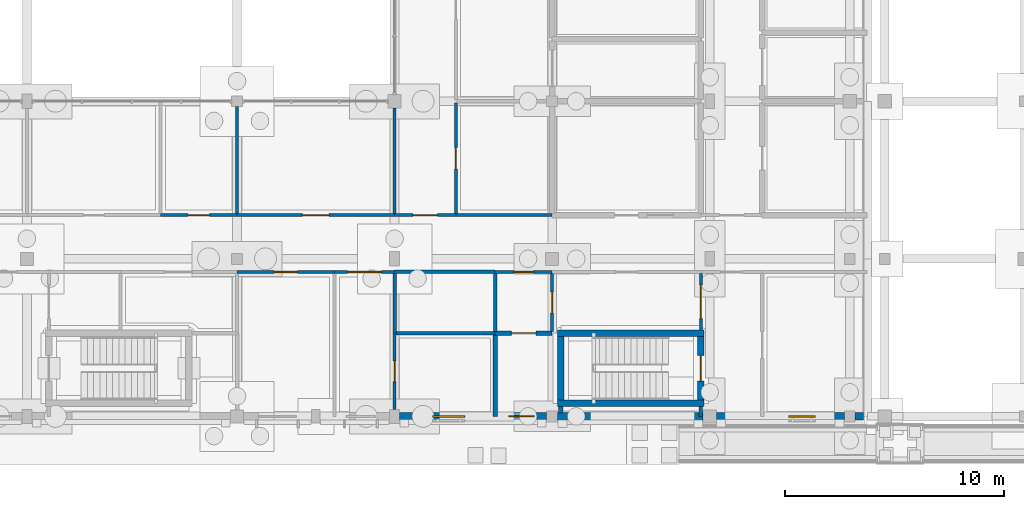
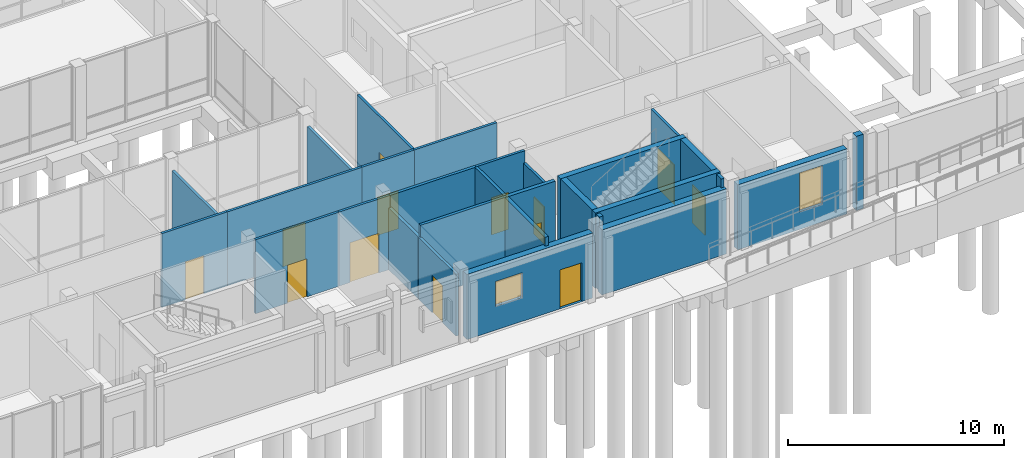
# One storey, part 79 of 104: 29 walls, 13 doors, 2 windows, 15 openings.
"""IFC4 building model written with IfcOpenShell, lengths in metres."""

from ifc_helpers import new_model, si_unit, direction, frame, frame_2d, origin, place, context, subcontext, project, spatial, rectangle, extrude, material, layer, layer_set, type_object, element, fill, save


model = new_model("IFC4")

# Units and contexts
model_context = context("Model", 3, precision=1e-05, world=origin(), true_north=direction((0.0, 1.0)))
body_context = subcontext(model_context, "Body", "Model", "MODEL_VIEW")
ifc_project = project(units=[si_unit("LENGTHUNIT", "METRE"), si_unit("AREAUNIT", "SQUARE_METRE"), si_unit("VOLUMEUNIT", "CUBIC_METRE"), si_unit("PLANEANGLEUNIT", "RADIAN"), si_unit("MASSUNIT", "GRAM", prefix="KILO")], contexts=[model_context])

# Site, building, storey
site_placement = place(None, origin())
site = spatial("IfcSite", under=ifc_project, at=site_placement, CompositionType="ELEMENT")
building_placement = place(site_placement, origin())
building = spatial("IfcBuilding", under=site, at=building_placement, Name="Hawrajan Terrace Health Centre", CompositionType="ELEMENT")
storey_placement = place(building_placement, origin())
storey = spatial("IfcBuildingStorey", under=building, at=storey_placement, Name="L00", CompositionType="ELEMENT", Elevation=0.0)

# Wall, opening, door
ifc_material_1 = material(Name="Gypsum board on acoustic stud framing")
ifc_layer_1 = layer(ifc_material_1, 0.139892578125)
ifc_layer_set_1 = layer_set([ifc_layer_1], Name="Gypsum board on acoustic stud framing")
wall_type_1 = type_object("IfcWallType", Name="ClinicalAcousticWall_140", PredefinedType="PARTITIONING", material=ifc_layer_set_1)
wall_1_placement = place(storey_placement, frame((97.10595703125, 13.39990234375, 0.0), z_axis=(0.0, 0.0, 1.0), x_axis=(1.0, 0.0, 0.0)))
wall_1 = element("IfcWall", 1, at=wall_1_placement, inside=storey, type_object=wall_type_1, Name="Interior wall IW-L00-0383", PredefinedType="PARTITIONING", context=body_context, shape_type="SweptSolid", body=[
    extrude(rectangle(XDim=3.494140625, YDim=0.139892578125, at=frame_2d((1.7470703125, 0.0))), origin(), (0.0, 0.0, 1.0), 4.179931640625),
])
opening_1_placement = place(wall_1_placement, frame((1.257080078125, 0.0, 0.0)))
opening_1 = element("IfcOpeningElement", 2, at=opening_1_placement, cuts=wall_1, Name="Opening D-L00-199", PredefinedType="OPENING", context=body_context, shape_type="SweptSolid", body=[
    extrude(rectangle(XDim=0.97998046875, YDim=2.14990234375, at=frame_2d((0.489990234375, 1.074951171875))), frame((0.0, 0.079833984375, 0.0), z_axis=(0.0, -1.0, 0.0), x_axis=(1.0, 0.0, 0.0)), (0.0, 0.0, 1.0), 0.159912109375),
])
ifc_material_2 = material(Name="Hardwood acoustic clinical door leaf and frame", Category="wood")
door_type_1 = type_object("IfcDoorType", Name="ConsultDoor_980x2150", OperationType="NOTDEFINED", PredefinedType="DOOR", material=ifc_material_2)
door_1_placement = place(opening_1_placement, origin())
door_1 = element("IfcDoor", 3, at=door_1_placement, inside=storey, type_object=door_type_1, Name="Interior door D-L00-199", OperationType="SINGLE_SWING_LEFT", OverallHeight=2.14990234375, OverallWidth=0.97998046875, PredefinedType="DOOR", context=body_context, shape_type="SweptSolid", body=[
    extrude(rectangle(XDim=0.97998046875, YDim=2.14990234375, at=frame_2d((0.489990234375, 1.074951171875))), frame((0.0, 0.02490234375, 0.0), z_axis=(0.0, -1.0, 0.0), x_axis=(1.0, 0.0, 0.0)), (0.0, 0.0, 1.0), 0.050048828125),
])
fill(opening_1, door_1)

wall_2_placement = place(storey_placement, frame((100.60009765625, 10.800048828125, 0.0), z_axis=(0.0, 0.0, 1.0), x_axis=(1.0, 0.0, 0.0)))
wall_2 = element("IfcWall", 4, at=wall_2_placement, inside=storey, type_object=wall_type_1, Name="Interior wall IW-L00-0385", PredefinedType="PARTITIONING", context=body_context, shape_type="SweptSolid", body=[
    extrude(rectangle(XDim=4.456787109375, YDim=0.139892578125, at=frame_2d((2.228515625, 0.0))), origin(), (0.0, 0.0, 1.0), 4.179931640625),
])
opening_2_placement = place(wall_2_placement, frame((1.698486328125, 0.0, 0.0)))
opening_2 = element("IfcOpeningElement", 5, at=opening_2_placement, cuts=wall_2, Name="Opening D-L00-200", PredefinedType="OPENING", context=body_context, shape_type="SweptSolid", body=[
    extrude(rectangle(XDim=1.06005859375, YDim=2.14990234375, at=frame_2d((0.530029296875, 1.074951171875))), frame((0.0, 0.079833984375, 0.0), z_axis=(0.0, -1.0, 0.0), x_axis=(1.0, 0.0, 0.0)), (0.0, 0.0, 1.0), 0.159912109375),
])
door_type_2 = type_object("IfcDoorType", Name="MentalHealthDoor_1060x2150", OperationType="NOTDEFINED", PredefinedType="DOOR", material=ifc_material_2)
door_2_placement = place(opening_2_placement, origin())
door_2 = element("IfcDoor", 6, at=door_2_placement, inside=storey, type_object=door_type_2, Name="Interior door D-L00-200", OperationType="SINGLE_SWING_RIGHT", OverallHeight=2.14990234375, OverallWidth=1.06005859375, PredefinedType="DOOR", context=body_context, shape_type="SweptSolid", body=[
    extrude(rectangle(XDim=1.06005859375, YDim=2.14990234375, at=frame_2d((0.530029296875, 1.074951171875))), frame((0.0, 0.02490234375, 0.0), z_axis=(0.0, -1.0, 0.0), x_axis=(1.0, 0.0, 0.0)), (0.0, 0.0, 1.0), 0.050048828125),
])
fill(opening_2, door_2)

# Wall
wall_3_placement = place(storey_placement, frame((100.60009765625, 13.469970703125, 0.0), z_axis=(0.0, 0.0, 1.0), x_axis=(0.0, 1.0, 0.0)))
element("IfcWall", 7, at=wall_3_placement, inside=storey, type_object=wall_type_1, Name="Interior wall IW-L00-0386", PredefinedType="PARTITIONING", context=body_context, shape_type="SweptSolid", body=[
    extrude(rectangle(XDim=4.880126953125, YDim=0.139892578125, at=frame_2d((2.43994140625, 0.0))), origin(), (0.0, 0.0, 1.0), 3.5),
])

# Wall, opening, door
wall_4_placement = place(storey_placement, frame((100.60009765625, 13.39990234375, 0.0), z_axis=(0.0, 0.0, 1.0), x_axis=(1.0, 0.0, 0.0)))
wall_4 = element("IfcWall", 8, at=wall_4_placement, inside=storey, type_object=wall_type_1, Name="Interior wall IW-L00-0387", PredefinedType="PARTITIONING", context=body_context, shape_type="SweptSolid", body=[
    extrude(rectangle(XDim=7.199951171875, YDim=0.139892578125, at=frame_2d((3.60009765625, 0.0))), origin(), (0.0, 0.0, 1.0), 4.179931640625),
])
opening_3_placement = place(wall_4_placement, frame((2.989990234375, 0.0, 0.0)))
opening_3 = element("IfcOpeningElement", 9, at=opening_3_placement, cuts=wall_4, Name="Opening D-L00-202", PredefinedType="OPENING", context=body_context, shape_type="SweptSolid", body=[
    extrude(rectangle(XDim=1.219970703125, YDim=2.10009765625, at=frame_2d((0.60986328125, 1.050048828125))), frame((0.0, 0.079833984375, 0.0), z_axis=(0.0, -1.0, 0.0), x_axis=(1.0, 0.0, 0.0)), (0.0, 0.0, 1.0), 0.159912109375),
])
door_type_3 = type_object("IfcDoorType", Name="ConsultDoor_1220x2100", OperationType="NOTDEFINED", PredefinedType="DOOR", material=ifc_material_2)
door_3_placement = place(opening_3_placement, origin())
door_3 = element("IfcDoor", 10, at=door_3_placement, inside=storey, type_object=door_type_3, Name="Interior door D-L00-202", OperationType="SINGLE_SWING_RIGHT", OverallHeight=2.10009765625, OverallWidth=1.219970703125, PredefinedType="DOOR", context=body_context, shape_type="SweptSolid", body=[
    extrude(rectangle(XDim=1.219970703125, YDim=2.10009765625, at=frame_2d((0.60986328125, 1.050048828125))), frame((0.0, 0.02490234375, 0.0), z_axis=(0.0, -1.0, 0.0), x_axis=(1.0, 0.0, 0.0)), (0.0, 0.0, 1.0), 0.050048828125),
])
fill(opening_3, door_3)

wall_5_placement = place(storey_placement, frame((105.056884765625, 10.800048828125, 0.0), z_axis=(0.0, 0.0, 1.0), x_axis=(1.0, 0.0, 0.0)))
wall_5 = element("IfcWall", 11, at=wall_5_placement, inside=storey, type_object=wall_type_1, Name="Interior wall IW-L00-0389", PredefinedType="PARTITIONING", context=body_context, shape_type="SweptSolid", body=[
    extrude(rectangle(XDim=2.7431640625, YDim=0.139892578125, at=frame_2d((1.37158203125, 0.0))), origin(), (0.0, 0.0, 1.0), 4.179931640625),
])
opening_4_placement = place(wall_5_placement, frame((0.6015625, 0.0, 0.0)))
opening_4 = element("IfcOpeningElement", 12, at=opening_4_placement, cuts=wall_5, Name="Opening D-L00-201", PredefinedType="OPENING", context=body_context, shape_type="SweptSolid", body=[
    extrude(rectangle(XDim=1.5400390625, YDim=2.25, at=frame_2d((0.77001953125, 1.125))), frame((0.0, 0.079833984375, 0.0), z_axis=(0.0, -1.0, 0.0), x_axis=(1.0, 0.0, 0.0)), (0.0, 0.0, 1.0), 0.159912109375),
])
door_type_4 = type_object("IfcDoorType", Name="RecoveryBayDoor_1540x2250", OperationType="DOUBLE_DOOR_SINGLE_SWING", PredefinedType="DOOR", material=ifc_material_2)
door_4_placement = place(opening_4_placement, origin())
door_4 = element("IfcDoor", 13, at=door_4_placement, inside=storey, type_object=door_type_4, Name="Interior door D-L00-201", OperationType="DOUBLE_DOOR_SINGLE_SWING", OverallHeight=2.25, OverallWidth=1.5400390625, PredefinedType="DOOR", context=body_context, shape_type="SweptSolid", body=[
    extrude(rectangle(XDim=1.5400390625, YDim=2.25, at=frame_2d((0.77001953125, 1.125))), frame((0.0, 0.02490234375, 0.0), z_axis=(0.0, -1.0, 0.0), x_axis=(1.0, 0.0, 0.0)), (0.0, 0.0, 1.0), 0.050048828125),
])
fill(opening_4, door_4)

wall_6_placement = place(storey_placement, frame((107.800048828125, 4.52490234375, 0.0), z_axis=(0.0, 0.0, 1.0), x_axis=(0.0, 1.0, 0.0)))
wall_6 = element("IfcWall", 14, at=wall_6_placement, inside=storey, type_object=wall_type_1, Name="Interior wall IW-L00-0390", PredefinedType="PARTITIONING", context=body_context, shape_type="SweptSolid", body=[
    extrude(rectangle(XDim=3.47509765625, YDim=0.139892578125, at=frame_2d((1.737548828125, 0.0))), origin(), (0.0, 0.0, 1.0), 3.5),
])
opening_5_placement = place(wall_6_placement, frame((1.262451171875, 0.0, 0.0)))
opening_5 = element("IfcOpeningElement", 15, at=opening_5_placement, cuts=wall_6, Name="Opening D-L00-203", PredefinedType="OPENING", context=body_context, shape_type="SweptSolid", body=[
    extrude(rectangle(XDim=0.949951171875, YDim=2.10009765625, at=frame_2d((0.47509765625, 1.050048828125))), frame((0.0, 0.079833984375, 0.0), z_axis=(0.0, -1.0, 0.0), x_axis=(1.0, 0.0, 0.0)), (0.0, 0.0, 1.0), 0.159912109375),
])
door_type_5 = type_object("IfcDoorType", Name="AccessibleWCDoor_950x2100", OperationType="NOTDEFINED", PredefinedType="DOOR", material=ifc_material_2)
door_5_placement = place(opening_5_placement, origin())
door_5 = element("IfcDoor", 16, at=door_5_placement, inside=storey, type_object=door_type_5, Name="Interior door D-L00-203", OperationType="SINGLE_SWING_LEFT", OverallHeight=2.10009765625, OverallWidth=0.949951171875, PredefinedType="DOOR", context=body_context, shape_type="SweptSolid", body=[
    extrude(rectangle(XDim=0.949951171875, YDim=2.10009765625, at=frame_2d((0.47509765625, 1.050048828125))), frame((0.0, 0.02490234375, 0.0), z_axis=(0.0, -1.0, 0.0), x_axis=(1.0, 0.0, 0.0)), (0.0, 0.0, 1.0), 0.050048828125),
])
fill(opening_5, door_5)

# Wall
wall_7_placement = place(storey_placement, frame((107.800048828125, 13.469970703125, 0.0), z_axis=(0.0, 0.0, 1.0), x_axis=(0.0, 1.0, 0.0)))
element("IfcWall", 17, at=wall_7_placement, inside=storey, type_object=wall_type_1, Name="Interior wall IW-L00-0391", PredefinedType="PARTITIONING", context=body_context, shape_type="SweptSolid", body=[
    extrude(rectangle(XDim=4.830078125, YDim=0.139892578125, at=frame_2d((2.4150390625, 0.0))), origin(), (0.0, 0.0, 1.0), 3.5),
])

# Wall, opening, door
wall_8_placement = place(storey_placement, frame((107.800048828125, 13.39990234375, 0.0), z_axis=(0.0, 0.0, 1.0), x_axis=(1.0, 0.0, 0.0)))
wall_8 = element("IfcWall", 18, at=wall_8_placement, inside=storey, type_object=wall_type_1, Name="Interior wall IW-L00-0392", PredefinedType="PARTITIONING", context=body_context, shape_type="SweptSolid", body=[
    extrude(rectangle(XDim=2.800048828125, YDim=0.139892578125, at=frame_2d((1.39990234375, 0.0))), origin(), (0.0, 0.0, 1.0), 4.179931640625),
])
opening_6_placement = place(wall_8_placement, frame((0.840087890625, 0.0, 0.0)))
opening_6 = element("IfcOpeningElement", 19, at=opening_6_placement, cuts=wall_8, Name="Opening D-L00-122", PredefinedType="OPENING", context=body_context, shape_type="SweptSolid", body=[
    extrude(rectangle(XDim=1.1201171875, YDim=2.14990234375, at=frame_2d((0.56005859375, 1.074951171875))), frame((0.0, 0.079833984375, 0.0), z_axis=(0.0, -1.0, 0.0), x_axis=(1.0, 0.0, 0.0)), (0.0, 0.0, 1.0), 0.159912109375),
])
door_type_6 = type_object("IfcDoorType", Name="DentalSurgeryDoor_1120x2150", OperationType="NOTDEFINED", PredefinedType="DOOR", material=ifc_material_2)
door_6_placement = place(opening_6_placement, origin())
door_6 = element("IfcDoor", 20, at=door_6_placement, inside=storey, type_object=door_type_6, Name="Interior door D-L00-122", OperationType="SINGLE_SWING_RIGHT", OverallHeight=2.14990234375, OverallWidth=1.1201171875, PredefinedType="DOOR", context=body_context, shape_type="SweptSolid", body=[
    extrude(rectangle(XDim=1.1201171875, YDim=2.14990234375, at=frame_2d((0.56005859375, 1.074951171875))), frame((0.0, 0.02490234375, 0.0), z_axis=(0.0, -1.0, 0.0), x_axis=(1.0, 0.0, 0.0)), (0.0, 0.0, 1.0), 0.050048828125),
])
fill(opening_6, door_6)

wall_9_placement = place(storey_placement, frame((110.60009765625, 13.469970703125, 0.0), z_axis=(0.0, 0.0, 1.0), x_axis=(0.0, 1.0, 0.0)))
wall_9 = element("IfcWall", 21, at=wall_9_placement, inside=storey, type_object=wall_type_1, Name="Interior wall IW-L00-0394", PredefinedType="PARTITIONING", context=body_context, shape_type="SweptSolid", body=[
    extrude(rectangle(XDim=5.06005859375, YDim=0.139892578125, at=frame_2d((2.530029296875, 0.0))), origin(), (0.0, 0.0, 1.0), 4.179931640625),
])
opening_7_placement = place(wall_9_placement, frame((2.0400390625, 0.0, 0.0)))
opening_7 = element("IfcOpeningElement", 22, at=opening_7_placement, cuts=wall_9, Name="Opening D-L00-204", PredefinedType="OPENING", context=body_context, shape_type="SweptSolid", body=[
    extrude(rectangle(XDim=0.97998046875, YDim=2.14990234375, at=frame_2d((0.489990234375, 1.074951171875))), frame((0.0, 0.079833984375, 0.0), z_axis=(0.0, -1.0, 0.0), x_axis=(1.0, 0.0, 0.0)), (0.0, 0.0, 1.0), 0.159912109375),
])
door_7_placement = place(opening_7_placement, origin())
door_7 = element("IfcDoor", 23, at=door_7_placement, inside=storey, type_object=door_type_1, Name="Interior door D-L00-204", OperationType="SINGLE_SWING_RIGHT", OverallHeight=2.14990234375, OverallWidth=0.97998046875, PredefinedType="DOOR", context=body_context, shape_type="SweptSolid", body=[
    extrude(rectangle(XDim=0.97998046875, YDim=2.14990234375, at=frame_2d((0.489990234375, 1.074951171875))), frame((0.0, 0.02490234375, 0.0), z_axis=(0.0, -1.0, 0.0), x_axis=(1.0, 0.0, 0.0)), (0.0, 0.0, 1.0), 0.050048828125),
])
fill(opening_7, door_7)

# Wall
wall_10_placement = place(storey_placement, frame((110.60009765625, 13.39990234375, 0.0), z_axis=(0.0, 0.0, 1.0), x_axis=(1.0, 0.0, 0.0)))
element("IfcWall", 24, at=wall_10_placement, inside=storey, type_object=wall_type_1, Name="Interior wall IW-L00-0395", PredefinedType="PARTITIONING", context=body_context, shape_type="SweptSolid", body=[
    extrude(rectangle(XDim=4.39990234375, YDim=0.139892578125, at=frame_2d((2.199951171875, 0.0))), origin(), (0.0, 0.0, 1.0), 4.179931640625),
])

# Wall, opening, door
wall_11_placement = place(storey_placement, frame((112.39990234375, 10.800048828125, 0.0), z_axis=(0.0, 0.0, 1.0), x_axis=(1.0, 0.0, 0.0)))
wall_11 = element("IfcWall", 25, at=wall_11_placement, inside=storey, type_object=wall_type_1, Name="Interior wall IW-L00-0404", PredefinedType="PARTITIONING", context=body_context, shape_type="SweptSolid", body=[
    extrude(rectangle(XDim=2.60009765625, YDim=0.139892578125, at=frame_2d((1.300048828125, 0.0))), origin(), (0.0, 0.0, 1.0), 4.179931640625),
])
opening_8_placement = place(wall_11_placement, frame((0.85009765625, 0.0, 0.0)))
opening_8 = element("IfcOpeningElement", 26, at=opening_8_placement, cuts=wall_11, Name="Opening D-L00-120", PredefinedType="OPENING", context=body_context, shape_type="SweptSolid", body=[
    extrude(rectangle(XDim=0.89990234375, YDim=2.10009765625, at=frame_2d((0.449951171875, 1.050048828125))), frame((0.0, 0.079833984375, 0.0), z_axis=(0.0, -1.0, 0.0), x_axis=(1.0, 0.0, 0.0)), (0.0, 0.0, 1.0), 0.159912109375),
])
door_type_7 = type_object("IfcDoorType", Name="PatientWCDoor_900x2100", OperationType="NOTDEFINED", PredefinedType="DOOR", material=ifc_material_2)
door_8_placement = place(opening_8_placement, origin())
door_8 = element("IfcDoor", 27, at=door_8_placement, inside=storey, type_object=door_type_7, Name="Interior door D-L00-120", OperationType="SINGLE_SWING_RIGHT", OverallHeight=2.10009765625, OverallWidth=0.89990234375, PredefinedType="DOOR", context=body_context, shape_type="SweptSolid", body=[
    extrude(rectangle(XDim=0.89990234375, YDim=2.10009765625, at=frame_2d((0.449951171875, 1.050048828125))), frame((0.0, 0.02490234375, 0.0), z_axis=(0.0, -1.0, 0.0), x_axis=(1.0, 0.0, 0.0)), (0.0, 0.0, 1.0), 0.050048828125),
])
fill(opening_8, door_8)

wall_12_placement = place(storey_placement, frame((115.0, 8.070068359375, 0.0), z_axis=(0.0, 0.0, 1.0), x_axis=(0.0, 1.0, 0.0)))
wall_12 = element("IfcWall", 28, at=wall_12_placement, inside=storey, type_object=wall_type_1, Name="Interior wall IW-L00-0405", PredefinedType="PARTITIONING", context=body_context, shape_type="SweptSolid", body=[
    extrude(rectangle(XDim=2.659912109375, YDim=0.139892578125, at=frame_2d((1.330078125, 0.0))), origin(), (0.0, 0.0, 1.0), 3.5),
])
opening_9_placement = place(wall_12_placement, frame((0.85498046875, 0.0, 0.0)))
opening_9 = element("IfcOpeningElement", 29, at=opening_9_placement, cuts=wall_12, Name="Opening D-L00-125", PredefinedType="OPENING", context=body_context, shape_type="SweptSolid", body=[
    extrude(rectangle(XDim=0.949951171875, YDim=2.10009765625, at=frame_2d((0.47509765625, 1.050048828125))), frame((0.0, 0.079833984375, 0.0), z_axis=(0.0, -1.0, 0.0), x_axis=(1.0, 0.0, 0.0)), (0.0, 0.0, 1.0), 0.159912109375),
])
door_9_placement = place(opening_9_placement, origin())
door_9 = element("IfcDoor", 30, at=door_9_placement, inside=storey, type_object=door_type_5, Name="Interior door D-L00-125", OperationType="SINGLE_SWING_LEFT", OverallHeight=2.10009765625, OverallWidth=0.949951171875, PredefinedType="DOOR", context=body_context, shape_type="SweptSolid", body=[
    extrude(rectangle(XDim=0.949951171875, YDim=2.10009765625, at=frame_2d((0.47509765625, 1.050048828125))), frame((0.0, 0.02490234375, 0.0), z_axis=(0.0, -1.0, 0.0), x_axis=(1.0, 0.0, 0.0)), (0.0, 0.0, 1.0), 0.050048828125),
])
fill(opening_9, door_9)

wall_13_placement = place(storey_placement, frame((121.800048828125, 8.139892578125, 0.0), z_axis=(0.0, 0.0, 1.0), x_axis=(0.0, 1.0, 0.0)))
wall_13 = element("IfcWall", 31, at=wall_13_placement, inside=storey, type_object=wall_type_1, Name="Interior wall IW-L00-0423", PredefinedType="PARTITIONING", context=body_context, shape_type="SweptSolid", body=[
    extrude(rectangle(XDim=2.590087890625, YDim=0.139892578125, at=frame_2d((1.294921875, 0.0))), origin(), (0.0, 0.0, 1.0), 4.179931640625),
])
opening_10_placement = place(wall_13_placement, frame((0.52490234375, 0.0, 0.0)))
opening_10 = element("IfcOpeningElement", 32, at=opening_10_placement, cuts=wall_13, Name="Opening D-L00-123", PredefinedType="OPENING", context=body_context, shape_type="SweptSolid", body=[
    extrude(rectangle(XDim=1.5400390625, YDim=2.25, at=frame_2d((0.77001953125, 1.125))), frame((0.0, 0.079833984375, 0.0), z_axis=(0.0, -1.0, 0.0), x_axis=(1.0, 0.0, 0.0)), (0.0, 0.0, 1.0), 0.159912109375),
])
door_10_placement = place(opening_10_placement, origin())
door_10 = element("IfcDoor", 33, at=door_10_placement, inside=storey, type_object=door_type_4, Name="Interior door D-L00-123", OperationType="DOUBLE_DOOR_SINGLE_SWING", OverallHeight=2.25, OverallWidth=1.5400390625, PredefinedType="DOOR", context=body_context, shape_type="SweptSolid", body=[
    extrude(rectangle(XDim=1.5400390625, YDim=2.25, at=frame_2d((0.77001953125, 1.125))), frame((0.0, 0.02490234375, 0.0), z_axis=(0.0, -1.0, 0.0), x_axis=(1.0, 0.0, 0.0)), (0.0, 0.0, 1.0), 0.050048828125),
])
fill(opening_10, door_10)

# Wall, openings, window, door
ifc_material_3 = material(Name="Precast concrete C40/50", Category="concrete")
ifc_layer_2 = layer(ifc_material_3, 0.340087890625)
ifc_layer_set_2 = layer_set([ifc_layer_2], Name="Precast concrete C40/50")
wall_type_2 = type_object("IfcWallType", Name="CoralAshlarWall_340", PredefinedType="SOLIDWALL", material=ifc_layer_set_2)
wall_14_placement = place(storey_placement, frame((108.02490234375, 4.199951171875, 0.0), z_axis=(0.0, 0.0, 1.0), x_axis=(1.0, 0.0, 0.0)))
wall_14 = element("IfcWall", 34, at=wall_14_placement, inside=storey, type_object=wall_type_2, Name="Exterior wall EW-L00-H13-00-1", PredefinedType="SOLIDWALL", context=body_context, shape_type="SweptSolid", body=[
    extrude(rectangle(XDim=6.72509765625, YDim=0.340087890625, at=frame_2d((3.362548828125, 0.0))), origin(), (0.0, 0.0, 1.0), 3.679931640625),
])
opening_11_placement = place(wall_14_placement, frame((4.985107421875, 0.0, 0.0)))
opening_11 = element("IfcOpeningElement", 35, at=opening_11_placement, cuts=wall_14, Name="Opening D-L00-E012", PredefinedType="OPENING", context=body_context, shape_type="SweptSolid", body=[
    extrude(rectangle(XDim=1.179931640625, YDim=2.199951171875, at=frame_2d((0.58984375, 1.10009765625))), frame((0.0, 0.179931640625, 0.0), z_axis=(0.0, -1.0, 0.0), x_axis=(1.0, 0.0, 0.0)), (0.0, 0.0, 1.0), 0.360107421875),
])
opening_12_placement = place(wall_14_placement, frame((1.5224609375, 0.0, 1.35009765625)))
opening_12 = element("IfcOpeningElement", 36, at=opening_12_placement, cuts=wall_14, Name="Opening W-L00-039", PredefinedType="OPENING", context=body_context, shape_type="SweptSolid", body=[
    extrude(rectangle(XDim=1.449951171875, YDim=1.39990234375, at=frame_2d((0.72509765625, 0.699951171875))), frame((0.0, 0.179931640625, 0.0), z_axis=(0.0, -1.0, 0.0), x_axis=(1.0, 0.0, 0.0)), (0.0, 0.0, 1.0), 0.360107421875),
])
ifc_material_4 = material(Name="Anodized bronze frame with double low-E glazing", Category="glass")
window_type_1 = type_object("IfcWindowType", Name="FacadeWindow_1450x1400", PartitioningType="SINGLE_PANEL", PredefinedType="WINDOW", material=ifc_material_4)
window_1_placement = place(opening_12_placement, origin())
window_1 = element("IfcWindow", 37, at=window_1_placement, inside=storey, type_object=window_type_1, Name="Window W-L00-039", OverallHeight=1.39990234375, OverallWidth=1.449951171875, PartitioningType="SINGLE_PANEL", PredefinedType="WINDOW", context=body_context, shape_type="SweptSolid", body=[
    extrude(rectangle(XDim=1.449951171875, YDim=1.39990234375, at=frame_2d((0.72509765625, 0.699951171875))), frame((0.0, 0.030029296875, 0.0), z_axis=(0.0, -1.0, 0.0), x_axis=(1.0, 0.0, 0.0)), (0.0, 0.0, 1.0), 0.06005859375),
])
fill(opening_12, window_1)
ifc_material_5 = material(Name="Anodized bronze thermally broken fire-rated glazed door")
door_type_8 = type_object("IfcDoorType", Name="StairDischargeDoor_1180x2200", OperationType="NOTDEFINED", PredefinedType="DOOR", material=ifc_material_5)
door_11_placement = place(opening_11_placement, frame((1.179931640625, 0.0, 0.0), z_axis=(0.0, 0.0, 1.0), x_axis=(-1.0, 0.0, 0.0)))
door_11 = element("IfcDoor", 38, at=door_11_placement, inside=storey, type_object=door_type_8, Name="Exit Vestibule S6 Final Exit Door D-L00-E012", OperationType="SINGLE_SWING_RIGHT", OverallHeight=2.199951171875, OverallWidth=1.179931640625, PredefinedType="DOOR", context=body_context, shape_type="SweptSolid", body=[
    extrude(rectangle(XDim=1.179931640625, YDim=2.199951171875, at=frame_2d((0.58984375, 1.10009765625))), frame((0.0, 0.02490234375, 0.0), z_axis=(0.0, -1.0, 0.0), x_axis=(1.0, 0.0, 0.0)), (0.0, 0.0, 1.0), 0.050048828125),
])
fill(opening_11, door_11)

# Wall, opening, window
wall_15_placement = place(storey_placement, frame((122.5, 4.199951171875, 0.0), z_axis=(0.0, 0.0, 1.0), x_axis=(1.0, 0.0, 0.0)))
wall_15 = element("IfcWall", 39, at=wall_15_placement, inside=storey, type_object=wall_type_2, Name="Exterior wall EW-L00-H15-00-1", PredefinedType="SOLIDWALL", context=body_context, shape_type="SweptSolid", body=[
    extrude(rectangle(XDim=5.85009765625, YDim=0.340087890625, at=frame_2d((2.925048828125, 0.0))), origin(), (0.0, 0.0, 1.0), 3.679931640625),
])
opening_13_placement = place(wall_15_placement, frame((3.304931640625, 0.0, 1.0)))
opening_13 = element("IfcOpeningElement", 40, at=opening_13_placement, cuts=wall_15, Name="Opening W-L00-042", PredefinedType="OPENING", context=body_context, shape_type="SweptSolid", body=[
    extrude(rectangle(XDim=1.219970703125, YDim=2.199951171875, at=frame_2d((0.60986328125, 1.10009765625))), frame((0.0, 0.179931640625, 0.0), z_axis=(0.0, -1.0, 0.0), x_axis=(1.0, 0.0, 0.0)), (0.0, 0.0, 1.0), 0.360107421875),
])
window_type_2 = type_object("IfcWindowType", Name="FacadeWindow_1220x2200", PartitioningType="SINGLE_PANEL", PredefinedType="WINDOW", material=ifc_material_4)
window_2_placement = place(opening_13_placement, origin())
window_2 = element("IfcWindow", 41, at=window_2_placement, inside=storey, type_object=window_type_2, Name="Window W-L00-042", OverallHeight=2.199951171875, OverallWidth=1.219970703125, PartitioningType="SINGLE_PANEL", PredefinedType="WINDOW", context=body_context, shape_type="SweptSolid", body=[
    extrude(rectangle(XDim=1.219970703125, YDim=2.199951171875, at=frame_2d((0.60986328125, 1.10009765625))), frame((0.0, 0.030029296875, 0.0), z_axis=(0.0, -1.0, 0.0), x_axis=(1.0, 0.0, 0.0)), (0.0, 0.0, 1.0), 0.06005859375),
])
fill(opening_13, window_2)

# Walls
wall_16_placement = place(storey_placement, frame((128.85009765625, 4.199951171875, 0.0), z_axis=(0.0, 0.0, 1.0), x_axis=(1.0, 0.0, 0.0)))
element("IfcWall", 42, at=wall_16_placement, inside=storey, type_object=wall_type_2, Name="Exterior wall EW-L00-H15-00-2", PredefinedType="SOLIDWALL", context=body_context, shape_type="SweptSolid", body=[
    extrude(rectangle(XDim=0.375, YDim=0.340087890625, at=frame_2d((0.1875, 0.0))), origin(), (0.0, 0.0, 1.0), 4.199951171875),
])
ifc_layer_3 = layer(ifc_material_3, 0.360107421875)
ifc_layer_set_3 = layer_set([ifc_layer_3], Name="Precast concrete C40/50")
wall_type_3 = type_object("IfcWallType", Name="CoralPodiumWall_360", PredefinedType="SOLIDWALL", material=ifc_layer_set_3)
wall_17_placement = place(storey_placement, frame((115.25, 4.199951171875, 0.0), z_axis=(0.0, 0.0, 1.0), x_axis=(1.0, 0.0, 0.0)))
element("IfcWall", 43, at=wall_17_placement, inside=storey, type_object=wall_type_3, Name="Exterior wall EW-L00-H14-00-1", PredefinedType="SOLIDWALL", context=body_context, shape_type="SweptSolid", body=[
    extrude(rectangle(XDim=6.64990234375, YDim=0.360107421875, at=frame_2d((3.324951171875, 0.0))), origin(), (0.0, 0.0, 1.0), 3.679931640625),
])
ifc_material_6 = material(Name="Concrete C40/50", Category="concrete")
ifc_layer_4 = layer(ifc_material_6, 0.300048828125)
ifc_layer_set_4 = layer_set([ifc_layer_4], Name="Concrete C40/50")
wall_type_4 = type_object("IfcWallType", Name="CoreShearWall_RC300", PredefinedType="SHEAR", material=ifc_layer_set_4)
for number, where, z_axis, x_axis, name in (
    (44, (115.25, 4.800048828125, 0.0), (0.0, 0.0, 1.0), (1.0, 0.0, 0.0), "Core shear wall SW-S6-L00-S"),
    (45, (115.25, 8.0, 0.0), (0.0, 0.0, 1.0), (1.0, 0.0, 0.0), "Core shear wall SW-S6-L00-N"),
):
    element("IfcWall", number, at=place(storey_placement, frame(where, z_axis=z_axis, x_axis=x_axis)), inside=storey, type_object=wall_type_4, Name=name, PredefinedType="SHEAR", context=body_context, shape_type="SweptSolid", body=[
        extrude(rectangle(XDim=6.699951171875, YDim=0.300048828125, at=frame_2d((3.35009765625, 0.0))), origin(), (0.0, 0.0, 1.0), 4.25),
    ])
wall_18_placement = place(storey_placement, frame((115.39990234375, 4.949951171875, 0.0), z_axis=(0.0, 0.0, 1.0), x_axis=(0.0, 1.0, 0.0)))
element("IfcWall", 46, at=wall_18_placement, inside=storey, type_object=wall_type_4, Name="Core shear wall SW-S6-L00-W", PredefinedType="SHEAR", context=body_context, shape_type="SweptSolid", body=[
    extrude(rectangle(XDim=2.900146484375, YDim=0.300048828125, at=frame_2d((1.4501953125, 0.0))), origin(), (0.0, 0.0, 1.0), 4.25),
])

# Wall, opening, door
wall_19_placement = place(storey_placement, frame((121.800048828125, 4.949951171875, 0.0), z_axis=(0.0, 0.0, 1.0), x_axis=(0.0, 1.0, 0.0)))
wall_19 = element("IfcWall", 47, at=wall_19_placement, inside=storey, type_object=wall_type_4, Name="Core shear wall SW-S6-L00-E", PredefinedType="SHEAR", context=body_context, shape_type="SweptSolid", body=[
    extrude(rectangle(XDim=2.900146484375, YDim=0.300048828125, at=frame_2d((1.4501953125, 0.0))), origin(), (0.0, 0.0, 1.0), 4.25),
])
opening_14_placement = place(wall_19_placement, frame((0.860107421875, 0.0, 0.0)))
opening_14 = element("IfcOpeningElement", 48, at=opening_14_placement, cuts=wall_19, Name="Opening D-L00-101", PredefinedType="OPENING", context=body_context, shape_type="SweptSolid", body=[
    extrude(rectangle(XDim=1.179931640625, YDim=2.14990234375, at=frame_2d((0.58984375, 1.074951171875))), frame((0.0, 0.159912109375, 0.0), z_axis=(0.0, -1.0, 0.0), x_axis=(1.0, 0.0, 0.0)), (0.0, 0.0, 1.0), 0.320068359375),
])
ifc_material_7 = material(Name="Timber-veneered acoustic fire-resisting door assembly", Category="wood")
door_type_9 = type_object("IfcDoorType", Name="CoreStairDoor_1180x2150", OperationType="NOTDEFINED", PredefinedType="DOOR", material=ifc_material_7)
door_12_placement = place(opening_14_placement, origin())
door_12 = element("IfcDoor", 49, at=door_12_placement, inside=storey, type_object=door_type_9, Name="Interior door D-L00-101", OperationType="SINGLE_SWING_LEFT", OverallHeight=2.14990234375, OverallWidth=1.179931640625, PredefinedType="DOOR", context=body_context, shape_type="SweptSolid", body=[
    extrude(rectangle(XDim=1.179931640625, YDim=2.14990234375, at=frame_2d((0.58984375, 1.074951171875))), frame((0.0, 0.02490234375, 0.0), z_axis=(0.0, -1.0, 0.0), x_axis=(1.0, 0.0, 0.0)), (0.0, 0.0, 1.0), 0.050048828125),
])
fill(opening_14, door_12)

# Walls
ifc_layer_5 = layer(ifc_material_1, 0.159912109375)
ifc_layer_set_5 = layer_set([ifc_layer_5], Name="Gypsum board on acoustic stud framing")
wall_type_5 = type_object("IfcWallType", Name="CorridorFireWall_160", PredefinedType="PARTITIONING", material=ifc_layer_set_5)
wall_20_placement = place(storey_placement, frame((107.800048828125, 10.800048828125, 0.0), z_axis=(0.0, 0.0, 1.0), x_axis=(1.0, 0.0, 0.0)))
element("IfcWall", 50, at=wall_20_placement, inside=storey, type_object=wall_type_5, Name="Interior wall IW-L00-0485", PredefinedType="PARTITIONING", context=body_context, shape_type="SweptSolid", body=[
    extrude(rectangle(XDim=4.599853515625, YDim=0.159912109375, at=frame_2d((2.2998046875, 0.0))), origin(), (0.0, 0.0, 1.0), 4.179931640625),
])
wall_21_placement = place(storey_placement, frame((121.800048828125, 4.199951171875, 0.0), z_axis=(0.0, 0.0, 1.0), x_axis=(0.0, 1.0, 0.0)))
element("IfcWall", 51, at=wall_21_placement, inside=storey, type_object=wall_type_5, Name="Interior wall IW-L00-0487", PredefinedType="PARTITIONING", context=body_context, shape_type="SweptSolid", body=[
    extrude(rectangle(XDim=0.4599609375, YDim=0.159912109375, at=frame_2d((0.22998046875, 0.0))), origin(), (0.0, 0.0, 1.0), 4.179931640625),
])
wall_22_placement = place(storey_placement, frame((112.39990234375, 8.070068359375, 0.0), z_axis=(0.0, 0.0, 1.0), x_axis=(0.0, 1.0, 0.0)))
element("IfcWall", 52, at=wall_22_placement, inside=storey, type_object=wall_type_5, Name="Interior wall IW-L00-0489", PredefinedType="PARTITIONING", context=body_context, shape_type="SweptSolid", body=[
    extrude(rectangle(XDim=2.659912109375, YDim=0.159912109375, at=frame_2d((1.330078125, 0.0))), origin(), (0.0, 0.0, 1.0), 4.179931640625),
])
wall_23_placement = place(storey_placement, frame((107.800048828125, 8.0, 0.0), z_axis=(0.0, 0.0, 1.0), x_axis=(0.0, 1.0, 0.0)))
element("IfcWall", 53, at=wall_23_placement, inside=storey, type_object=wall_type_5, Name="Interior wall IW-L00-0503", PredefinedType="PARTITIONING", context=body_context, shape_type="SweptSolid", body=[
    extrude(rectangle(XDim=2.72998046875, YDim=0.159912109375, at=frame_2d((1.364990234375, 0.0))), origin(), (0.0, 0.0, 1.0), 3.5),
])
wall_24_placement = place(storey_placement, frame((112.39990234375, 8.0, 0.0), z_axis=(0.0, 0.0, 1.0), x_axis=(-1.0, 0.0, 0.0)))
element("IfcWall", 54, at=wall_24_placement, inside=storey, type_object=wall_type_5, Name="Interior wall IW-L00-0504", PredefinedType="PARTITIONING", context=body_context, shape_type="SweptSolid", body=[
    extrude(rectangle(XDim=4.599853515625, YDim=0.159912109375, at=frame_2d((2.2998046875, 0.0))), origin(), (0.0, 0.0, 1.0), 4.179931640625),
])
ifc_material_8 = material(Name="Cross-laminated timber CLT C24", Category="wood")
ifc_layer_6 = layer(ifc_material_8, 0.199951171875)
ifc_layer_set_6 = layer_set([ifc_layer_6], Name="Cross-laminated timber CLT C24")
wall_type_6 = type_object("IfcWallType", Name="FireCompartmentWall_200", PredefinedType="PARTITIONING", material=ifc_layer_set_6)
wall_25_placement = place(storey_placement, frame((112.39990234375, 4.199951171875, 0.0), z_axis=(0.0, 0.0, 1.0), x_axis=(0.0, 1.0, 0.0)))
element("IfcWall", 55, at=wall_25_placement, inside=storey, type_object=wall_type_6, Name="Interior wall IW-L00-0402", PredefinedType="PARTITIONING", context=body_context, shape_type="SweptSolid", body=[
    extrude(rectangle(XDim=3.72998046875, YDim=0.199951171875, at=frame_2d((1.864990234375, 0.0))), origin(), (0.0, 0.0, 1.0), 4.179931640625),
])

# Wall, opening, door
wall_26_placement = place(storey_placement, frame((112.39990234375, 8.0, 0.0), z_axis=(0.0, 0.0, 1.0), x_axis=(1.0, 0.0, 0.0)))
wall_26 = element("IfcWall", 56, at=wall_26_placement, inside=storey, type_object=wall_type_6, Name="Interior wall IW-L00-0403", PredefinedType="PARTITIONING", context=body_context, shape_type="SweptSolid", body=[
    extrude(rectangle(XDim=2.60009765625, YDim=0.199951171875, at=frame_2d((1.300048828125, 0.0))), origin(), (0.0, 0.0, 1.0), 4.179931640625),
])
opening_15_placement = place(wall_26_placement, frame((0.739990234375, 0.0, 0.0)))
opening_15 = element("IfcOpeningElement", 57, at=opening_15_placement, cuts=wall_26, Name="Opening D-L00-099", PredefinedType="OPENING", context=body_context, shape_type="SweptSolid", body=[
    extrude(rectangle(XDim=1.1201171875, YDim=2.10009765625, at=frame_2d((0.56005859375, 1.050048828125))), frame((0.0, 0.10986328125, 0.0), z_axis=(0.0, -1.0, 0.0), x_axis=(1.0, 0.0, 0.0)), (0.0, 0.0, 1.0), 0.219970703125),
])
door_type_10 = type_object("IfcDoorType", Name="CoreStairDoor_1120x2100", OperationType="NOTDEFINED", PredefinedType="DOOR", material=ifc_material_7)
door_13_placement = place(opening_15_placement, frame((1.1201171875, 0.0, 0.0), z_axis=(0.0, 0.0, 1.0), x_axis=(-1.0, 0.0, 0.0)))
door_13 = element("IfcDoor", 58, at=door_13_placement, inside=storey, type_object=door_type_10, Name="Interior door D-L00-099", OperationType="SINGLE_SWING_LEFT", OverallHeight=2.10009765625, OverallWidth=1.1201171875, PredefinedType="DOOR", context=body_context, shape_type="SweptSolid", body=[
    extrude(rectangle(XDim=1.1201171875, YDim=2.10009765625, at=frame_2d((0.56005859375, 1.050048828125))), frame((0.0, 0.02490234375, 0.0), z_axis=(0.0, -1.0, 0.0), x_axis=(1.0, 0.0, 0.0)), (0.0, 0.0, 1.0), 0.050048828125),
])
fill(opening_15, door_13)

# Wall
wall_27_placement = place(storey_placement, frame((115.39990234375, 4.360107421875, 0.0), z_axis=(0.0, 0.0, 1.0), x_axis=(0.0, 1.0, 0.0)))
element("IfcWall", 59, at=wall_27_placement, inside=storey, type_object=wall_type_6, Name="Interior wall IW-L00-0475", PredefinedType="PARTITIONING", context=body_context, shape_type="SweptSolid", body=[
    extrude(rectangle(XDim=0.2998046875, YDim=0.199951171875, at=frame_2d((0.14990234375, 0.0))), origin(), (0.0, 0.0, 1.0), 4.179931640625),
])

save(model, "model.ifc")
